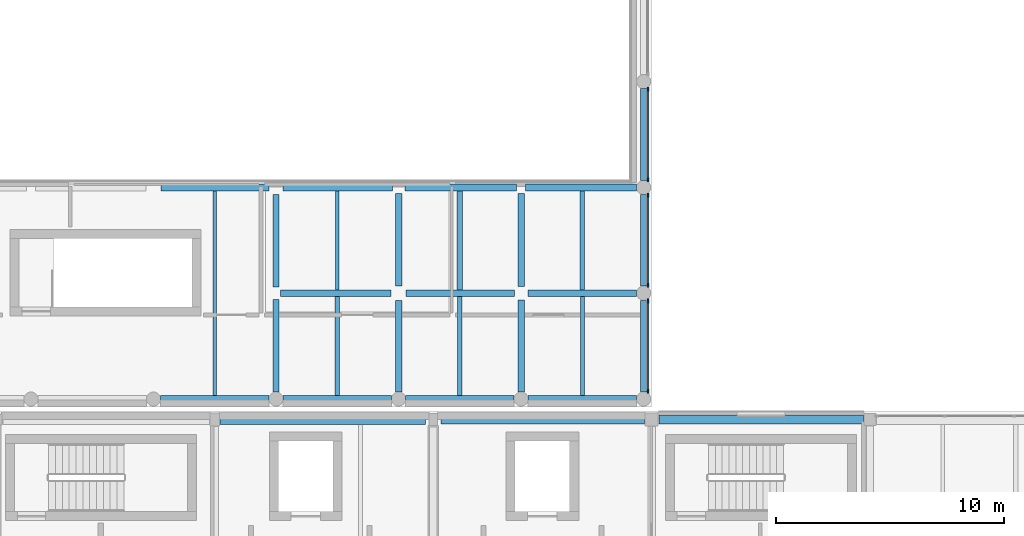
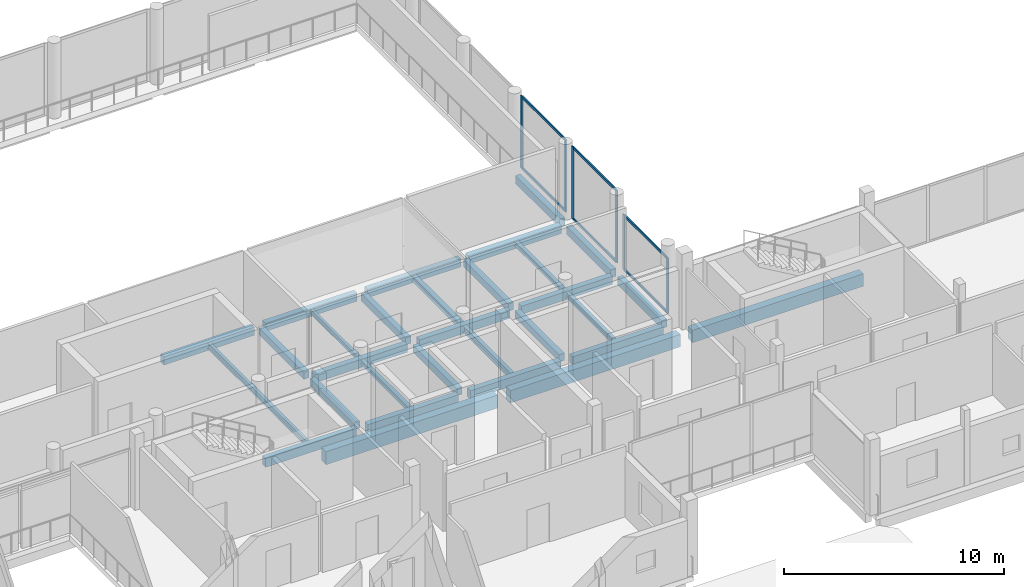
# One storey, part 15 of 66: 30 beams, 12 members, 3 elements without a shape of their own.
"""IFC4 building model written with IfcOpenShell, lengths in metres."""

import ifcopenshell
import ifcopenshell.guid

model = None  # the IFC model being written
_history = None  # IfcOwnerHistory: only IFC2X3 demands one
_inside = {}  # id of a spatial element -> (the spatial element, [elements in it])
_under = {}  # id of a project, library or spatial element -> (it, [spatial elements below it])
_declared = {}  # id of a project -> (the project, [libraries it declares])
_typed = {}  # id of a type object -> (the type object, [elements of that type])
_made_of = {}  # id of a material, layer set ... -> (it, [elements and type objects made of it])


def new_model(schema):
    """Start an empty IFC model of exactly this schema.

    Asked for "IFC4X3", IfcOpenShell would pick the latest addendum, in which some entities
    have other attributes; the version numbers below select the first issue.
    IFC2X3 requires an IfcOwnerHistory on every rooted entity: one is made here for all.
    """
    global model, _history
    if schema == "IFC4X3":
        model = ifcopenshell.file(schema_version=(4, 3, 0, 0))
    else:
        model = ifcopenshell.file(schema=schema)
    _inside.clear()
    _under.clear()
    _declared.clear()
    _typed.clear()
    _made_of.clear()
    _history = None
    if model.schema == "IFC2X3":
        org = make("IfcOrganization", Name="unknown")
        user = make(
            "IfcPersonAndOrganization",
            ThePerson=make("IfcPerson", FamilyName="unknown"),
            TheOrganization=org,
        )
        app = make(
            "IfcApplication",
            ApplicationDeveloper=org,
            Version="unknown",
            ApplicationFullName="unknown",
            ApplicationIdentifier="unknown",
        )
        _history = make(
            "IfcOwnerHistory",
            OwningUser=user,
            OwningApplication=app,
            ChangeAction="ADDED",
            CreationDate=0,
        )
    return model


def make(cls, **values):
    """One entity of the class cls with the attributes given. An attribute that is None is left unset."""
    return model.create_entity(
        cls, **{name: value for name, value in values.items() if value is not None}
    )


def rooted(cls, **values):
    """An entity with a GlobalId (a new one), such as an element, a storey or a relation."""
    return make(cls, GlobalId=ifcopenshell.guid.new(), OwnerHistory=_history, **values)


def si_unit(unit_type, name, prefix=None):
    """IfcSIUnit, for example si_unit("LENGTHUNIT", "METRE", prefix="MILLI")."""
    return make("IfcSIUnit", UnitType=unit_type, Prefix=prefix, Name=name)


def assignment(units):
    """IfcUnitAssignment: the units of a project."""
    return None if units is None else make("IfcUnitAssignment", Units=units)


def point(xyz):
    """IfcCartesianPoint."""
    return None if xyz is None else make("IfcCartesianPoint", Coordinates=xyz)


def direction(xyz):
    """IfcDirection."""
    return None if xyz is None else make("IfcDirection", DirectionRatios=xyz)


def frame(location, z_axis=None, x_axis=None):
    """IfcAxis2Placement3D, a coordinate frame: its origin and axes. An axis left out is left unset."""
    return make(
        "IfcAxis2Placement3D",
        Location=point(location),
        Axis=direction(z_axis),
        RefDirection=direction(x_axis),
    )


def frame_2d(location, x_axis=None):
    """IfcAxis2Placement2D, a coordinate frame in the plane: its origin and x axis."""
    return make(
        "IfcAxis2Placement2D", Location=point(location), RefDirection=direction(x_axis)
    )


def origin():
    """The frame at (0, 0, 0) with its axes left unset."""
    return frame((0.0, 0.0, 0.0))


def origin_2d():
    """The frame at (0, 0) in the plane with its x axis left unset."""
    return frame_2d((0.0, 0.0))


def place(relative_to, where):
    """IfcLocalPlacement: puts the frame where relative to a parent placement (None: the world)."""
    return make(
        "IfcLocalPlacement", PlacementRelTo=relative_to, RelativePlacement=where
    )


def context(
    kind, dimensions, precision=None, world=None, true_north=None, identifier=None
):
    """IfcGeometricRepresentationContext, for example the 3D "Model" context."""
    return make(
        "IfcGeometricRepresentationContext",
        ContextIdentifier=identifier,
        ContextType=kind,
        CoordinateSpaceDimension=dimensions,
        Precision=precision,
        WorldCoordinateSystem=world,
        TrueNorth=true_north,
    )


def subcontext(parent, identifier, kind, view, scale=None):
    """IfcGeometricRepresentationSubContext, for example "Body" below "Model"."""
    return make(
        "IfcGeometricRepresentationSubContext",
        ContextIdentifier=identifier,
        ContextType=kind,
        ParentContext=parent,
        TargetScale=scale,
        TargetView=view,
    )


def project(units=None, contexts=None):
    """IfcProject with its units and contexts."""
    return rooted(
        "IfcProject",
        Name="project",
        RepresentationContexts=contexts,
        UnitsInContext=assignment(units),
    )


def spatial(cls, under=None, at=None, **own):
    """A site, building, storey or space (cls), placed at a placement, below another one or the project."""
    s = rooted(cls, ObjectPlacement=at, **own)
    if under is not None:
        _under.setdefault(under.id(), (under, []))[1].append(s)
    return s


def profile(cls, at=None, kind="AREA", **sizes):
    """A parametric profile (cls). Its sizes go by their IFC names, for example OverallWidth=200.0."""
    return make(cls, ProfileType=kind, Position=at, **sizes)


def rectangle(**sizes):
    """IfcRectangleProfileDef."""
    return profile("IfcRectangleProfileDef", **sizes)


def i_section(**sizes):
    """IfcIShapeProfileDef."""
    return profile("IfcIShapeProfileDef", **sizes)


def extrude(swept, where, along, depth):
    """IfcExtrudedAreaSolid: the profile swept, set in the frame where, extruded along a direction by depth."""
    return make(
        "IfcExtrudedAreaSolid",
        SweptArea=swept,
        Position=where,
        ExtrudedDirection=direction(along),
        Depth=depth,
    )


def shape(context_of_items, identifier, shape_type, items):
    """IfcShapeRepresentation: the items that make up one representation, for example the "Body"."""
    return make(
        "IfcShapeRepresentation",
        ContextOfItems=context_of_items,
        RepresentationIdentifier=identifier,
        RepresentationType=shape_type,
        Items=items,
    )


def material(Name=None, Category=None):
    """IfcMaterial."""
    return make("IfcMaterial", Name=Name, Category=Category)


def layer(
    of_material, thickness, ventilated=None, Name=None, Category=None, Priority=None
):
    """IfcMaterialLayer: one layer of a wall or slab, of a material (None: an air gap)."""
    return make(
        "IfcMaterialLayer",
        Material=of_material,
        LayerThickness=thickness,
        IsVentilated=ventilated,
        Name=Name,
        Category=Category,
        Priority=Priority,
    )


def layer_set(layers, Name=None):
    """IfcMaterialLayerSet."""
    return make("IfcMaterialLayerSet", MaterialLayers=layers, LayerSetName=Name)


def material_profile(
    of_material, cross_section, Name=None, Category=None, Priority=None
):
    """IfcMaterialProfile: a cross section and its material."""
    return make(
        "IfcMaterialProfile",
        Name=Name,
        Material=of_material,
        Profile=cross_section,
        Priority=Priority,
        Category=Category,
    )


def profile_set(profiles, Name=None, composite=None):
    """IfcMaterialProfileSet."""
    return make(
        "IfcMaterialProfileSet",
        Name=Name,
        MaterialProfiles=profiles,
        CompositeProfile=composite,
    )


def made_of(thing, what):
    """Note that an element or type object is made of a material, layer set ...; save() writes the relation."""
    if what is not None:
        _made_of.setdefault(what.id(), (what, []))[1].append(thing)
    return thing


def type_object(cls, material=None, **own):
    """A type object (cls), such as IfcWallType, which elements share."""
    return made_of(rooted(cls, **own), material)


def element(
    cls,
    number,
    at=None,
    inside=None,
    cuts=None,
    type_object=None,
    material=None,
    context=None,
    identifier="Body",
    shape_type=None,
    held_by="IfcProductDefinitionShape",
    body=None,
    shapes=None,
    **own,
):
    """One element of the class cls, such as IfcWall. Its Tag is "e" and its number.

    at: its placement. inside: the storey or other place that contains it. cuts: it is an
    opening in that element (IfcRelVoidsElement). A single representation is given by context,
    identifier, shape_type and body (its items); several are given by shapes. held_by: the class
    of the entity that holds the representations. save() writes the other relations.
    """
    e = rooted(cls, Tag="e%d" % number, ObjectPlacement=at, **own)
    if body is not None:
        shapes = [shape(context, identifier, shape_type, body)]
    if shapes is not None:
        e.Representation = make(held_by, Representations=shapes)
    if inside is not None:
        _inside.setdefault(inside.id(), (inside, []))[1].append(e)
    if cuts is not None:
        rooted(
            "IfcRelVoidsElement", RelatingBuildingElement=cuts, RelatedOpeningElement=e
        )
    if type_object is not None:
        _typed.setdefault(type_object.id(), (type_object, []))[1].append(e)
    return made_of(e, material)


def aggregate(whole, parts):
    """IfcRelAggregates: a whole, such as a stair, and the parts it consists of."""
    return rooted("IfcRelAggregates", RelatingObject=whole, RelatedObjects=parts)


def save(model, path):
    """Write the relations noted so far, then the file.

    IfcRelAggregates (storeys below a building ...), IfcRelContainedInSpatialStructure (elements
    in a storey), IfcRelDefinesByType, IfcRelAssociatesMaterial and IfcRelDeclares: one each for
    every whole, place, type object, material and project.
    """
    for whole, parts in _under.values():
        aggregate(whole, parts)
    for where, things in _inside.values():
        rooted(
            "IfcRelContainedInSpatialStructure",
            RelatedElements=things,
            RelatingStructure=where,
        )
    for kind, things in _typed.values():
        rooted("IfcRelDefinesByType", RelatedObjects=things, RelatingType=kind)
    for what, things in _made_of.values():
        rooted("IfcRelAssociatesMaterial", RelatedObjects=things, RelatingMaterial=what)
    for by, libraries in _declared.values():
        rooted("IfcRelDeclares", RelatingContext=by, RelatedDefinitions=libraries)
    model.write(path)


model = new_model("IFC4")

# Units and contexts
model_context = context("Model", 3, precision=1e-05, world=origin(), true_north=direction((0.0, 1.0)))
body_context = subcontext(model_context, "Body", "Model", "MODEL_VIEW")
ifc_project = project(units=[si_unit("LENGTHUNIT", "METRE"), si_unit("AREAUNIT", "SQUARE_METRE"), si_unit("VOLUMEUNIT", "CUBIC_METRE"), si_unit("PLANEANGLEUNIT", "RADIAN"), si_unit("MASSUNIT", "GRAM", prefix="KILO")], contexts=[model_context])

# Site, building, storey
site_placement = place(None, origin())
site = spatial("IfcSite", under=ifc_project, at=site_placement, CompositionType="ELEMENT")
building_placement = place(site_placement, origin())
building = spatial("IfcBuilding", under=site, at=building_placement, Name="Birchvale Park Specialist Clinic", CompositionType="ELEMENT")
storey_placement = place(building_placement, frame((0.0, 0.0, 5.39990234375)))
storey = spatial("IfcBuildingStorey", under=building, at=storey_placement, Name="L01", CompositionType="ELEMENT", Elevation=5.39990234375)

# Beams
ifc_material_1 = material(Name="Concrete C40/50", Category="concrete")
ifc_material_profile_1 = material_profile(ifc_material_1, rectangle(XDim=0.419921875, YDim=0.719970703125, at=origin_2d()), Name="RCB-420x720")
ifc_profile_set_1 = profile_set([ifc_material_profile_1], Name="Concrete C40/50")
beam_type_1 = type_object("IfcBeamType", Name="BM-EXT-BG3", PredefinedType="BEAM", material=ifc_profile_set_1)
beam_1_placement = place(storey_placement, frame((71.235107421875, 34.25, -0.639892578125), z_axis=(1.0, 0.0, 0.0), x_axis=(0.0, 1.0, 0.0)))
element("IfcBeam", 1, at=beam_1_placement, inside=storey, type_object=beam_type_1, Name="V4 L01 X girder 16", PredefinedType="BEAM", context=body_context, shape_type="SweptSolid", body=[
    extrude(rectangle(XDim=0.419921875, YDim=0.719970703125, at=origin_2d()), origin(), (0.0, 0.0, 1.0), 9.02490234375),
])
ifc_material_profile_2 = material_profile(ifc_material_1, rectangle(XDim=0.39990234375, YDim=0.68994140625, at=origin_2d()), Name="RCB-400x690")
ifc_profile_set_2 = profile_set([ifc_material_profile_2], Name="Concrete C40/50")
beam_type_2 = type_object("IfcBeamType", Name="BM-EXT-BG4", PredefinedType="BEAM", material=ifc_profile_set_2)
beam_2_placement = place(storey_placement, frame((80.93994140625, 34.25, -0.625), z_axis=(1.0, 0.0, 0.0), x_axis=(0.0, 1.0, 0.0)))
element("IfcBeam", 2, at=beam_2_placement, inside=storey, type_object=beam_type_2, Name="V4 L01 X girder 17", PredefinedType="BEAM", context=body_context, shape_type="SweptSolid", body=[
    extrude(rectangle(XDim=0.39990234375, YDim=0.68994140625, at=origin_2d()), origin(), (0.0, 0.0, 1.0), 8.945068359375),
])
beam_3_placement = place(storey_placement, frame((90.514892578125, 34.25, -0.625), z_axis=(1.0, 0.0, 0.0), x_axis=(0.0, 1.0, 0.0)))
element("IfcBeam", 3, at=beam_3_placement, inside=storey, type_object=beam_type_2, Name="V4 L01 X girder 18", PredefinedType="BEAM", context=body_context, shape_type="SweptSolid", body=[
    extrude(rectangle(XDim=0.39990234375, YDim=0.68994140625, at=origin_2d()), origin(), (0.0, 0.0, 1.0), 8.9951171875),
])
ifc_material_profile_3 = material_profile(ifc_material_1, rectangle(XDim=0.300048828125, YDim=0.489990234375, at=origin_2d()), Name="RCB-300x490")
ifc_profile_set_3 = profile_set([ifc_material_profile_3], Name="Concrete C40/50")
beam_type_3 = type_object("IfcBeamType", Name="BM-EXT-BG8", PredefinedType="BEAM", material=ifc_profile_set_3)
for number, where, z_axis, x_axis, name in (
    (4, (68.6171875, 35.14990234375, -0.56494140625), (1.0, 0.0, 0.0), (0.0, 1.0, 0.0), "V1 L01 X girder 4"),
    (5, (74.0029296875, 35.14990234375, -0.56494140625), (1.0, 0.0, 0.0), (0.0, 1.0, 0.0), "V1 L01 X girder 5"),
    (6, (79.388671875, 35.14990234375, -0.56494140625), (1.0, 0.0, 0.0), (0.0, 1.0, 0.0), "V1 L01 X girder 6"),
    (7, (84.7744140625, 35.14990234375, -0.56494140625), (1.0, 0.0, 0.0), (0.0, 1.0, 0.0), "V1 L01 X girder 7"),
):
    element("IfcBeam", number, at=place(storey_placement, frame(where, z_axis=z_axis, x_axis=x_axis)), inside=storey, type_object=beam_type_3, Name=name, PredefinedType="BEAM", context=body_context, shape_type="SweptSolid", body=[
        extrude(rectangle(XDim=0.300048828125, YDim=0.489990234375, at=origin_2d()), origin(), (0.0, 0.0, 1.0), 4.765625),
    ])
ifc_material_profile_4 = material_profile(ifc_material_1, rectangle(XDim=0.280029296875, YDim=0.43994140625, at=origin_2d()), Name="RCB-280x440")
ifc_profile_set_4 = profile_set([ifc_material_profile_4], Name="Concrete C40/50")
beam_type_4 = type_object("IfcBeamType", Name="BM-EXT-BG9", PredefinedType="BEAM", material=ifc_profile_set_4)
beam_4_placement = place(storey_placement, frame((89.85009765625, 35.4599609375, -0.539794921875), z_axis=(0.0, 1.0, 0.0), x_axis=(-1.0, 0.0, 0.0)))
element("IfcBeam", 8, at=beam_4_placement, inside=storey, type_object=beam_type_4, Name="V1 L01 Y girder 47", PredefinedType="BEAM", context=body_context, shape_type="SweptSolid", body=[
    extrude(rectangle(XDim=0.280029296875, YDim=0.43994140625, at=origin_2d()), origin(), (0.0, 0.0, 1.0), 4.030029296875),
])
beam_5_placement = place(storey_placement, frame((89.85009765625, 40.110107421875, -0.539794921875), z_axis=(0.0, 1.0, 0.0), x_axis=(-1.0, 0.0, 0.0)))
element("IfcBeam", 9, at=beam_5_placement, inside=storey, type_object=beam_type_4, Name="V1 L01 Y girder 48", PredefinedType="BEAM", context=body_context, shape_type="SweptSolid", body=[
    extrude(rectangle(XDim=0.280029296875, YDim=0.43994140625, at=origin_2d()), origin(), (0.0, 0.0, 1.0), 4.02978515625),
])
beam_6_placement = place(storey_placement, frame((89.85009765625, 44.760009765625, -0.539794921875), z_axis=(0.0, 1.0, 0.0), x_axis=(-1.0, 0.0, 0.0)))
element("IfcBeam", 10, at=beam_6_placement, inside=storey, type_object=beam_type_4, Name="V1 L01 Y girder 49", PredefinedType="BEAM", context=body_context, shape_type="SweptSolid", body=[
    extrude(rectangle(XDim=0.280029296875, YDim=0.43994140625, at=origin_2d()), origin(), (0.0, 0.0, 1.0), 4.030029296875),
])
ifc_material_profile_5 = material_profile(ifc_material_1, rectangle(XDim=0.300048828125, YDim=0.449951171875, at=origin_2d()), Name="RCB-300x450")
ifc_profile_set_5 = profile_set([ifc_material_profile_5], Name="Concrete C40/50")
beam_type_5 = type_object("IfcBeamType", Name="BM-INT-BG8", PredefinedType="BEAM", material=ifc_profile_set_5)
beam_7_placement = place(storey_placement, frame((73.892822265625, 39.800048828125, -0.544921875), z_axis=(1.0, 0.0, 0.0), x_axis=(0.0, 1.0, 0.0)))
element("IfcBeam", 11, at=beam_7_placement, inside=storey, type_object=beam_type_5, Name="V1 L01 X girder 9", PredefinedType="BEAM", context=body_context, shape_type="SweptSolid", body=[
    extrude(rectangle(XDim=0.300048828125, YDim=0.449951171875, at=origin_2d()), origin(), (0.0, 0.0, 1.0), 4.86083984375),
])
beam_8_placement = place(storey_placement, frame((79.403564453125, 39.800048828125, -0.544921875), z_axis=(1.0, 0.0, 0.0), x_axis=(0.0, 1.0, 0.0)))
element("IfcBeam", 12, at=beam_8_placement, inside=storey, type_object=beam_type_5, Name="V1 L01 X girder 10", PredefinedType="BEAM", context=body_context, shape_type="SweptSolid", body=[
    extrude(rectangle(XDim=0.300048828125, YDim=0.449951171875, at=origin_2d()), origin(), (0.0, 0.0, 1.0), 4.7607421875),
])
beam_9_placement = place(storey_placement, frame((84.764404296875, 39.800048828125, -0.544921875), z_axis=(1.0, 0.0, 0.0), x_axis=(0.0, 1.0, 0.0)))
element("IfcBeam", 13, at=beam_9_placement, inside=storey, type_object=beam_type_5, Name="V1 L01 X girder 11", PredefinedType="BEAM", context=body_context, shape_type="SweptSolid", body=[
    extrude(rectangle(XDim=0.300048828125, YDim=0.449951171875, at=origin_2d()), origin(), (0.0, 0.0, 1.0), 4.775634765625),
])
beam_10_placement = place(storey_placement, frame((68.632080078125, 44.449951171875, -0.544921875), z_axis=(1.0, 0.0, 0.0), x_axis=(0.0, 1.0, 0.0)))
element("IfcBeam", 14, at=beam_10_placement, inside=storey, type_object=beam_type_5, Name="V1 L01 X girder 15", PredefinedType="BEAM", context=body_context, shape_type="SweptSolid", body=[
    extrude(rectangle(XDim=0.300048828125, YDim=0.449951171875, at=origin_2d()), origin(), (0.0, 0.0, 1.0), 4.7607421875),
])
beam_11_placement = place(storey_placement, frame((73.992919921875, 44.449951171875, -0.544921875), z_axis=(1.0, 0.0, 0.0), x_axis=(0.0, 1.0, 0.0)))
element("IfcBeam", 15, at=beam_11_placement, inside=storey, type_object=beam_type_5, Name="V1 L01 X girder 16", PredefinedType="BEAM", context=body_context, shape_type="SweptSolid", body=[
    extrude(rectangle(XDim=0.300048828125, YDim=0.449951171875, at=origin_2d()), origin(), (0.0, 0.0, 1.0), 4.810791015625),
])
beam_12_placement = place(storey_placement, frame((79.353515625, 44.449951171875, -0.544921875), z_axis=(1.0, 0.0, 0.0), x_axis=(0.0, 1.0, 0.0)))
element("IfcBeam", 16, at=beam_12_placement, inside=storey, type_object=beam_type_5, Name="V1 L01 X girder 17", PredefinedType="BEAM", context=body_context, shape_type="SweptSolid", body=[
    extrude(rectangle(XDim=0.300048828125, YDim=0.449951171875, at=origin_2d()), origin(), (0.0, 0.0, 1.0), 4.910888671875),
])
beam_13_placement = place(storey_placement, frame((84.664306640625, 44.449951171875, -0.544921875), z_axis=(1.0, 0.0, 0.0), x_axis=(0.0, 1.0, 0.0)))
element("IfcBeam", 17, at=beam_13_placement, inside=storey, type_object=beam_type_5, Name="V1 L01 X girder 18", PredefinedType="BEAM", context=body_context, shape_type="SweptSolid", body=[
    extrude(rectangle(XDim=0.300048828125, YDim=0.449951171875, at=origin_2d()), origin(), (0.0, 0.0, 1.0), 4.875732421875),
])
ifc_material_profile_6 = material_profile(ifc_material_1, rectangle(XDim=0.280029296875, YDim=0.39990234375, at=origin_2d()), Name="RCB-280x400")
ifc_profile_set_6 = profile_set([ifc_material_profile_6], Name="Concrete C40/50")
beam_type_6 = type_object("IfcBeamType", Name="BM-INT-BG9", PredefinedType="BEAM", material=ifc_profile_set_6)
beam_14_placement = place(storey_placement, frame((73.69287109375, 35.4599609375, -0.52001953125), z_axis=(0.0, 1.0, 0.0), x_axis=(-1.0, 0.0, 0.0)))
element("IfcBeam", 18, at=beam_14_placement, inside=storey, type_object=beam_type_6, Name="V1 L01 Y girder 41", PredefinedType="BEAM", context=body_context, shape_type="SweptSolid", body=[
    extrude(rectangle(XDim=0.280029296875, YDim=0.39990234375, at=origin_2d()), origin(), (0.0, 0.0, 1.0), 4.06494140625),
])
beam_15_placement = place(storey_placement, frame((73.69287109375, 40.074951171875, -0.52001953125), z_axis=(0.0, 1.0, 0.0), x_axis=(-1.0, 0.0, 0.0)))
element("IfcBeam", 19, at=beam_15_placement, inside=storey, type_object=beam_type_6, Name="V1 L01 Y girder 42", PredefinedType="BEAM", context=body_context, shape_type="SweptSolid", body=[
    extrude(rectangle(XDim=0.280029296875, YDim=0.39990234375, at=origin_2d()), origin(), (0.0, 0.0, 1.0), 4.074951171875),
])
beam_16_placement = place(storey_placement, frame((79.07861328125, 35.4599609375, -0.52001953125), z_axis=(0.0, 1.0, 0.0), x_axis=(-1.0, 0.0, 0.0)))
element("IfcBeam", 20, at=beam_16_placement, inside=storey, type_object=beam_type_6, Name="V1 L01 Y girder 43", PredefinedType="BEAM", context=body_context, shape_type="SweptSolid", body=[
    extrude(rectangle(XDim=0.280029296875, YDim=0.39990234375, at=origin_2d()), origin(), (0.0, 0.0, 1.0), 4.01513671875),
])
beam_17_placement = place(storey_placement, frame((79.07861328125, 40.125, -0.52001953125), z_axis=(0.0, 1.0, 0.0), x_axis=(-1.0, 0.0, 0.0)))
element("IfcBeam", 21, at=beam_17_placement, inside=storey, type_object=beam_type_6, Name="V1 L01 Y girder 44", PredefinedType="BEAM", context=body_context, shape_type="SweptSolid", body=[
    extrude(rectangle(XDim=0.280029296875, YDim=0.39990234375, at=origin_2d()), origin(), (0.0, 0.0, 1.0), 4.050048828125),
])
beam_18_placement = place(storey_placement, frame((84.46435546875, 35.4599609375, -0.52001953125), z_axis=(0.0, 1.0, 0.0), x_axis=(-1.0, 0.0, 0.0)))
element("IfcBeam", 22, at=beam_18_placement, inside=storey, type_object=beam_type_6, Name="V1 L01 Y girder 45", PredefinedType="BEAM", context=body_context, shape_type="SweptSolid", body=[
    extrude(rectangle(XDim=0.280029296875, YDim=0.39990234375, at=origin_2d()), origin(), (0.0, 0.0, 1.0), 4.0400390625),
])
beam_19_placement = place(storey_placement, frame((84.46435546875, 40.10009765625, -0.52001953125), z_axis=(0.0, 1.0, 0.0), x_axis=(-1.0, 0.0, 0.0)))
element("IfcBeam", 23, at=beam_19_placement, inside=storey, type_object=beam_type_6, Name="V1 L01 Y girder 46", PredefinedType="BEAM", context=body_context, shape_type="SweptSolid", body=[
    extrude(rectangle(XDim=0.280029296875, YDim=0.39990234375, at=origin_2d()), origin(), (0.0, 0.0, 1.0), 4.074951171875),
])

# Curtain wall, members
ifc_material_2 = material(Name="Thermally broken anodised aluminium", Category="aluminium")
ifc_layer = layer(ifc_material_2, 0.195068359375)
ifc_layer_set = layer_set([ifc_layer], Name="Thermally broken anodised aluminium")
curtain_wall_type = type_object("IfcCurtainWallType", Name="CW-U2", PredefinedType="USERDEFINED", material=ifc_layer_set)
curtain_wall_1_placement = place(storey_placement, origin())
curtain_wall_1 = element("IfcCurtainWall", 24, at=curtain_wall_1_placement, inside=storey, type_object=curtain_wall_type, Name="V1 L01 glazed curtain wall 68", ObjectType="UNITISED", PredefinedType="USERDEFINED")
ifc_material_profile_7 = material_profile(ifc_material_2, rectangle(XDim=0.06494140625, YDim=0.179931640625, at=origin_2d()), Name="CWM-65x180")
ifc_profile_set_7 = profile_set([ifc_material_profile_7], Name="Thermally broken anodised aluminium")
member_type_1 = type_object("IfcMemberType", Name="CWM2", PredefinedType="MULLION", material=ifc_profile_set_7)
member_1_placement = place(storey_placement, frame((90.034912109375, 35.492431640625, 0.0), z_axis=(0.0, 0.0, 1.0), x_axis=(-1.0, 0.0, 0.0)))
member_1 = element("IfcMember", 25, at=member_1_placement, type_object=member_type_1, Name="CW mullion 1", PredefinedType="MULLION", context=body_context, shape_type="SweptSolid", body=[
    extrude(rectangle(XDim=0.06494140625, YDim=0.179931640625, at=origin_2d()), origin(), (0.0, 0.0, 1.0), 3.065185546875),
])
member_2_placement = place(storey_placement, frame((90.034912109375, 39.45751953125, 0.0), z_axis=(0.0, 0.0, 1.0), x_axis=(-1.0, 0.0, 0.0)))
member_2 = element("IfcMember", 26, at=member_2_placement, type_object=member_type_1, Name="CW mullion 2", PredefinedType="MULLION", context=body_context, shape_type="SweptSolid", body=[
    extrude(rectangle(XDim=0.06494140625, YDim=0.179931640625, at=origin_2d()), origin(), (0.0, 0.0, 1.0), 3.065185546875),
])

curtain_wall_2_placement = place(storey_placement, origin())
curtain_wall_2 = element("IfcCurtainWall", 27, at=curtain_wall_2_placement, inside=storey, type_object=curtain_wall_type, Name="V1 L01 glazed curtain wall 69", ObjectType="UNITISED", PredefinedType="USERDEFINED")
member_3_placement = place(storey_placement, frame((90.034912109375, 40.142578125, 0.0), z_axis=(0.0, 0.0, 1.0), x_axis=(-1.0, 0.0, 0.0)))
member_3 = element("IfcMember", 28, at=member_3_placement, type_object=member_type_1, Name="CW mullion 1", PredefinedType="MULLION", context=body_context, shape_type="SweptSolid", body=[
    extrude(rectangle(XDim=0.06494140625, YDim=0.179931640625, at=origin_2d()), origin(), (0.0, 0.0, 1.0), 4.02001953125),
])
member_4_placement = place(storey_placement, frame((90.034912109375, 44.107421875, 0.0), z_axis=(0.0, 0.0, 1.0), x_axis=(-1.0, 0.0, 0.0)))
member_4 = element("IfcMember", 29, at=member_4_placement, type_object=member_type_1, Name="CW mullion 2", PredefinedType="MULLION", context=body_context, shape_type="SweptSolid", body=[
    extrude(rectangle(XDim=0.06494140625, YDim=0.179931640625, at=origin_2d()), origin(), (0.0, 0.0, 1.0), 4.02001953125),
])

curtain_wall_3_placement = place(storey_placement, origin())
curtain_wall_3 = element("IfcCurtainWall", 30, at=curtain_wall_3_placement, inside=storey, type_object=curtain_wall_type, Name="V1 L01 glazed curtain wall 70", ObjectType="UNITISED", PredefinedType="USERDEFINED")
member_5_placement = place(storey_placement, frame((90.034912109375, 44.79248046875, 0.0), z_axis=(0.0, 0.0, 1.0), x_axis=(-1.0, 0.0, 0.0)))
member_5 = element("IfcMember", 31, at=member_5_placement, type_object=member_type_1, Name="CW mullion 1", PredefinedType="MULLION", context=body_context, shape_type="SweptSolid", body=[
    extrude(rectangle(XDim=0.06494140625, YDim=0.179931640625, at=origin_2d()), origin(), (0.0, 0.0, 1.0), 4.02001953125),
])
member_6_placement = place(storey_placement, frame((90.034912109375, 48.757568359375, 0.0), z_axis=(0.0, 0.0, 1.0), x_axis=(-1.0, 0.0, 0.0)))
member_6 = element("IfcMember", 32, at=member_6_placement, type_object=member_type_1, Name="CW mullion 2", PredefinedType="MULLION", context=body_context, shape_type="SweptSolid", body=[
    extrude(rectangle(XDim=0.06494140625, YDim=0.179931640625, at=origin_2d()), origin(), (0.0, 0.0, 1.0), 4.02001953125),
])

# Member
ifc_material_profile_8 = material_profile(ifc_material_2, rectangle(XDim=0.06494140625, YDim=0.139892578125, at=origin_2d()), Name="CWT-65x140")
ifc_profile_set_8 = profile_set([ifc_material_profile_8], Name="Thermally broken anodised aluminium")
member_type_2 = type_object("IfcMemberType", Name="CWT2", PredefinedType="USERDEFINED", material=ifc_profile_set_8)
member_7_placement = place(storey_placement, frame((90.034912109375, 35.52490234375, 0.03271484375), z_axis=(0.0, 1.0, 0.0), x_axis=(-1.0, 0.0, 0.0)))
member_7 = element("IfcMember", 33, at=member_7_placement, type_object=member_type_2, Name="CW transom 1.1", ObjectType="TRANSOM", PredefinedType="USERDEFINED", context=body_context, shape_type="SweptSolid", body=[
    extrude(rectangle(XDim=0.06494140625, YDim=0.139892578125, at=origin_2d()), origin(), (0.0, 0.0, 1.0), 3.900146484375),
])

member_8_placement = place(storey_placement, frame((90.034912109375, 35.52490234375, 3.03271484375), z_axis=(0.0, 1.0, 0.0), x_axis=(-1.0, 0.0, 0.0)))
member_8 = element("IfcMember", 34, at=member_8_placement, type_object=member_type_2, Name="CW transom 1.2", ObjectType="TRANSOM", PredefinedType="USERDEFINED", context=body_context, shape_type="SweptSolid", body=[
    extrude(rectangle(XDim=0.06494140625, YDim=0.139892578125, at=origin_2d()), origin(), (0.0, 0.0, 1.0), 3.900146484375),
])

aggregate(curtain_wall_1, [member_1, member_2, member_7, member_8])

member_9_placement = place(storey_placement, frame((90.034912109375, 40.175048828125, 0.03271484375), z_axis=(0.0, 1.0, 0.0), x_axis=(-1.0, 0.0, 0.0)))
member_9 = element("IfcMember", 35, at=member_9_placement, type_object=member_type_2, Name="CW transom 1.1", ObjectType="TRANSOM", PredefinedType="USERDEFINED", context=body_context, shape_type="SweptSolid", body=[
    extrude(rectangle(XDim=0.06494140625, YDim=0.139892578125, at=origin_2d()), origin(), (0.0, 0.0, 1.0), 3.89990234375),
])

member_10_placement = place(storey_placement, frame((90.034912109375, 40.175048828125, 3.987548828125), z_axis=(0.0, 1.0, 0.0), x_axis=(-1.0, 0.0, 0.0)))
member_10 = element("IfcMember", 36, at=member_10_placement, type_object=member_type_2, Name="CW transom 1.2", ObjectType="TRANSOM", PredefinedType="USERDEFINED", context=body_context, shape_type="SweptSolid", body=[
    extrude(rectangle(XDim=0.06494140625, YDim=0.139892578125, at=origin_2d()), origin(), (0.0, 0.0, 1.0), 3.89990234375),
])

aggregate(curtain_wall_2, [member_3, member_4, member_9, member_10])

member_11_placement = place(storey_placement, frame((90.034912109375, 44.824951171875, 0.03271484375), z_axis=(0.0, 1.0, 0.0), x_axis=(-1.0, 0.0, 0.0)))
member_11 = element("IfcMember", 37, at=member_11_placement, type_object=member_type_2, Name="CW transom 1.1", ObjectType="TRANSOM", PredefinedType="USERDEFINED", context=body_context, shape_type="SweptSolid", body=[
    extrude(rectangle(XDim=0.06494140625, YDim=0.139892578125, at=origin_2d()), origin(), (0.0, 0.0, 1.0), 3.900146484375),
])

member_12_placement = place(storey_placement, frame((90.034912109375, 44.824951171875, 3.987548828125), z_axis=(0.0, 1.0, 0.0), x_axis=(-1.0, 0.0, 0.0)))
member_12 = element("IfcMember", 38, at=member_12_placement, type_object=member_type_2, Name="CW transom 1.2", ObjectType="TRANSOM", PredefinedType="USERDEFINED", context=body_context, shape_type="SweptSolid", body=[
    extrude(rectangle(XDim=0.06494140625, YDim=0.139892578125, at=origin_2d()), origin(), (0.0, 0.0, 1.0), 3.900146484375),
])

aggregate(curtain_wall_3, [member_5, member_6, member_11, member_12])

# Beams
ifc_material_3 = material(Name="Steel ASTM A992 Grade 50", Category="steel")
ifc_material_profile_9 = material_profile(ifc_material_3, i_section(OverallWidth=0.2041015625, OverallDepth=0.35107421875, WebThickness=0.008544921875, FlangeThickness=0.01513671875, at=origin_2d()), Name="W14X48")
ifc_profile_set_9 = profile_set([ifc_material_profile_9], Name="Steel ASTM A992 Grade 50")
beam_type_7 = type_object("IfcBeamType", Name="STL-INT-SJ1", PredefinedType="JOIST", material=ifc_profile_set_9)
beam_20_placement = place(storey_placement, frame((81.771484375, 35.300048828125, -0.495361328125), z_axis=(0.0, 1.0, 0.0), x_axis=(-1.0, 0.0, 0.0)))
element("IfcBeam", 39, at=beam_20_placement, inside=storey, type_object=beam_type_7, Name="V1 L01 secondary floor joist 11", PredefinedType="JOIST", context=body_context, shape_type="SweptSolid", body=[
    extrude(i_section(OverallWidth=0.2041015625, OverallDepth=0.35107421875, WebThickness=0.008544921875, FlangeThickness=0.01513671875, at=origin_2d()), origin(), (0.0, 0.0, 1.0), 4.349853515625),
])
ifc_material_profile_10 = material_profile(ifc_material_3, i_section(OverallWidth=0.25390625, OverallDepth=0.305908203125, WebThickness=0.0087890625, FlangeThickness=0.0146484375, at=origin_2d()), Name="W12X53")
ifc_profile_set_10 = profile_set([ifc_material_profile_10], Name="Steel ASTM A992 Grade 50")
beam_type_8 = type_object("IfcBeamType", Name="STL-INT-SJ2", PredefinedType="JOIST", material=ifc_profile_set_10)
beam_21_placement = place(storey_placement, frame((81.771484375, 39.949951171875, -0.472900390625), z_axis=(0.0, 1.0, 0.0), x_axis=(-1.0, 0.0, 0.0)))
element("IfcBeam", 40, at=beam_21_placement, inside=storey, type_object=beam_type_8, Name="V1 L01 secondary floor joist 12", PredefinedType="JOIST", context=body_context, shape_type="SweptSolid", body=[
    extrude(i_section(OverallWidth=0.25390625, OverallDepth=0.305908203125, WebThickness=0.0087890625, FlangeThickness=0.0146484375, at=origin_2d()), origin(), (0.0, 0.0, 1.0), 4.35009765625),
])
ifc_material_profile_11 = material_profile(ifc_material_3, i_section(OverallWidth=0.1669921875, OverallDepth=0.31689453125, WebThickness=0.007568359375, FlangeThickness=0.01318359375, at=origin_2d()), Name="W12X35")
ifc_profile_set_11 = profile_set([ifc_material_profile_11], Name="Steel ASTM A992 Grade 50")
beam_type_9 = type_object("IfcBeamType", Name="STL-INT-SJ3", PredefinedType="JOIST", material=ifc_profile_set_11)
beam_22_placement = place(storey_placement, frame((71.0, 35.300048828125, -0.478515625), z_axis=(0.0, 1.0, 0.0), x_axis=(-1.0, 0.0, 0.0)))
element("IfcBeam", 41, at=beam_22_placement, inside=storey, type_object=beam_type_9, Name="V1 L01 secondary floor joist 8", PredefinedType="JOIST", context=body_context, shape_type="SweptSolid", body=[
    extrude(i_section(OverallWidth=0.1669921875, OverallDepth=0.31689453125, WebThickness=0.007568359375, FlangeThickness=0.01318359375, at=origin_2d()), origin(), (0.0, 0.0, 1.0), 9.0),
])
beam_23_placement = place(storey_placement, frame((87.1572265625, 35.300048828125, -0.478515625), z_axis=(0.0, 1.0, 0.0), x_axis=(-1.0, 0.0, 0.0)))
element("IfcBeam", 42, at=beam_23_placement, inside=storey, type_object=beam_type_9, Name="V1 L01 secondary floor joist 13", PredefinedType="JOIST", context=body_context, shape_type="SweptSolid", body=[
    extrude(i_section(OverallWidth=0.1669921875, OverallDepth=0.31689453125, WebThickness=0.007568359375, FlangeThickness=0.01318359375, at=origin_2d()), origin(), (0.0, 0.0, 1.0), 4.349853515625),
])
ifc_material_profile_12 = material_profile(ifc_material_3, i_section(OverallWidth=0.202880859375, OverallDepth=0.251953125, WebThickness=0.008056640625, FlangeThickness=0.013427734375, at=origin_2d()), Name="W10X39")
ifc_profile_set_12 = profile_set([ifc_material_profile_12], Name="Steel ASTM A992 Grade 50")
beam_type_10 = type_object("IfcBeamType", Name="STL-INT-SJ4", PredefinedType="JOIST", material=ifc_profile_set_12)
beam_24_placement = place(storey_placement, frame((76.3857421875, 35.300048828125, -0.44580078125), z_axis=(0.0, 1.0, 0.0), x_axis=(-1.0, 0.0, 0.0)))
element("IfcBeam", 43, at=beam_24_placement, inside=storey, type_object=beam_type_10, Name="V1 L01 secondary floor joist 9", PredefinedType="JOIST", context=body_context, shape_type="SweptSolid", body=[
    extrude(i_section(OverallWidth=0.202880859375, OverallDepth=0.251953125, WebThickness=0.008056640625, FlangeThickness=0.013427734375, at=origin_2d()), origin(), (0.0, 0.0, 1.0), 4.349853515625),
])
beam_25_placement = place(storey_placement, frame((87.1572265625, 39.949951171875, -0.44580078125), z_axis=(0.0, 1.0, 0.0), x_axis=(-1.0, 0.0, 0.0)))
element("IfcBeam", 44, at=beam_25_placement, inside=storey, type_object=beam_type_10, Name="V1 L01 secondary floor joist 14", PredefinedType="JOIST", context=body_context, shape_type="SweptSolid", body=[
    extrude(i_section(OverallWidth=0.202880859375, OverallDepth=0.251953125, WebThickness=0.008056640625, FlangeThickness=0.013427734375, at=origin_2d()), origin(), (0.0, 0.0, 1.0), 4.35009765625),
])
ifc_material_profile_13 = material_profile(ifc_material_3, i_section(OverallWidth=0.14697265625, OverallDepth=0.261962890625, WebThickness=0.006591796875, FlangeThickness=0.01123046875, at=origin_2d()), Name="W10X26")
ifc_profile_set_13 = profile_set([ifc_material_profile_13], Name="Steel ASTM A992 Grade 50")
beam_type_11 = type_object("IfcBeamType", Name="STL-INT-SJ5", PredefinedType="JOIST", material=ifc_profile_set_13)
beam_26_placement = place(storey_placement, frame((76.3857421875, 39.949951171875, -0.450927734375), z_axis=(0.0, 1.0, 0.0), x_axis=(-1.0, 0.0, 0.0)))
element("IfcBeam", 45, at=beam_26_placement, inside=storey, type_object=beam_type_11, Name="V1 L01 secondary floor joist 10", PredefinedType="JOIST", context=body_context, shape_type="SweptSolid", body=[
    extrude(i_section(OverallWidth=0.14697265625, OverallDepth=0.261962890625, WebThickness=0.006591796875, FlangeThickness=0.01123046875, at=origin_2d()), origin(), (0.0, 0.0, 1.0), 4.35009765625),
])

save(model, "model.ifc")
